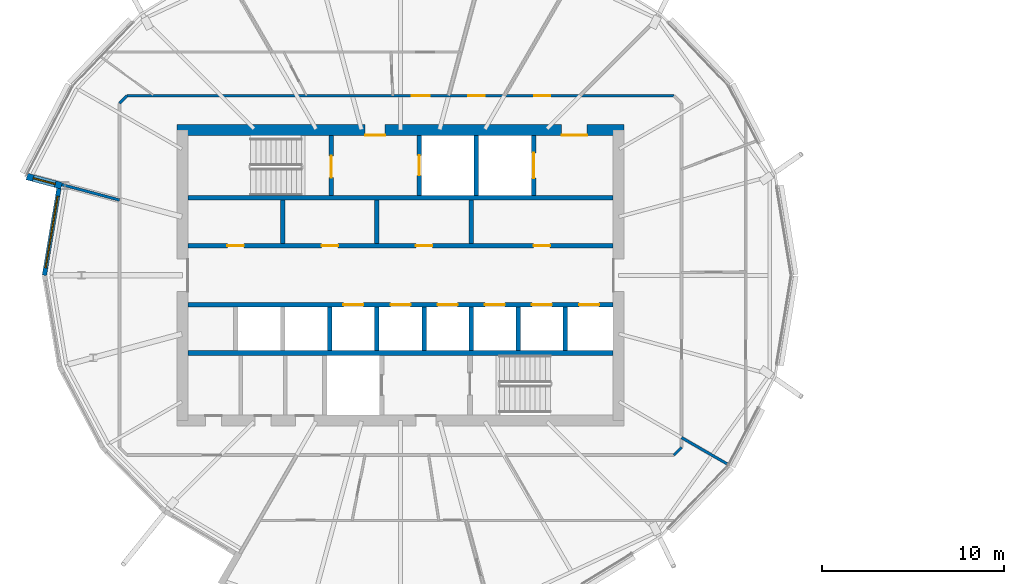
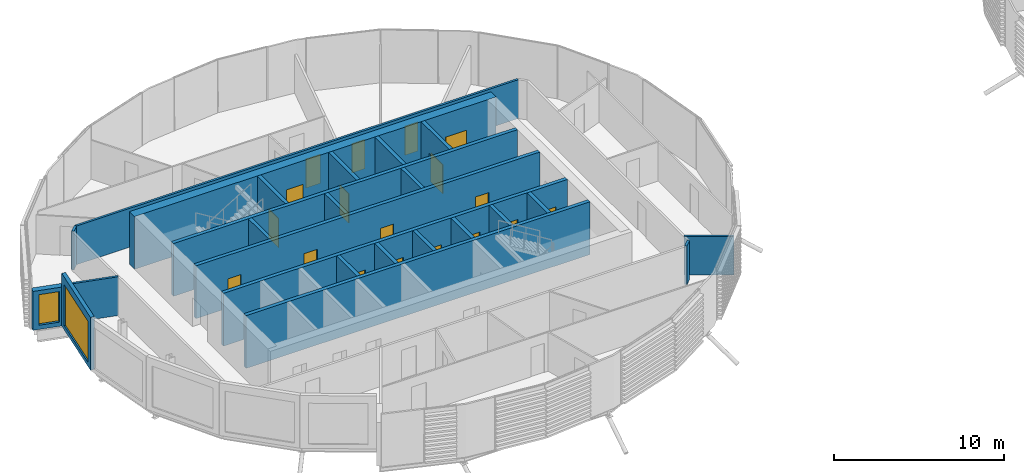
# One storey, part 19 of 35: 25 walls, 18 doors, 2 windows, 20 openings.
"""IFC4 building model written with IfcOpenShell, lengths in metres."""

from ifc_helpers import new_model, si_unit, direction, frame, frame_2d, origin, place, context, subcontext, project, spatial, rectangle, extrude, material, layer, layer_set, type_object, element, fill, save


model = new_model("IFC4")

# Units and contexts
model_context = context("Model", 3, precision=1e-05, world=origin(), true_north=direction((0.0, 1.0)))
body_context = subcontext(model_context, "Body", "Model", "MODEL_VIEW")
ifc_project = project(units=[si_unit("LENGTHUNIT", "METRE"), si_unit("AREAUNIT", "SQUARE_METRE"), si_unit("VOLUMEUNIT", "CUBIC_METRE"), si_unit("PLANEANGLEUNIT", "RADIAN"), si_unit("MASSUNIT", "GRAM", prefix="KILO")], contexts=[model_context])

# Site, building, storey
site_placement = place(None, origin())
site = spatial("IfcSite", under=ifc_project, at=site_placement, CompositionType="ELEMENT")
building_placement = place(site_placement, origin())
building = spatial("IfcBuilding", under=site, at=building_placement, Name="Rimbun Link Towers", CompositionType="ELEMENT")
storey_placement = place(building_placement, frame((0.0, 0.0, 196.89990234375)))
storey = spatial("IfcBuildingStorey", under=building, at=storey_placement, Name="L48", CompositionType="ELEMENT", Elevation=196.89990234375)

# Wall, opening, window
ifc_material_1 = material(Name="Dark enamelled glass spandrel on insulated aluminium backpan", Category="aluminium")
ifc_layer_1 = layer(ifc_material_1, 0.25)
ifc_layer_set_1 = layer_set([ifc_layer_1], Name="CS dark enamelled spandrel wall 250")
wall_type_1 = type_object("IfcWallType", Name="CS dark enamelled spandrel wall 250", PredefinedType="STANDARD", material=ifc_layer_set_1)
wall_1_placement = place(storey_placement, frame((-51.3603515625, 0.0, 0.0), z_axis=(0.0, 0.0, 1.0), x_axis=(0.165542246624, 0.986202699541, 0.0)))
wall_1 = element("IfcWall", 1, at=wall_1_placement, inside=storey, type_object=wall_type_1, Name="Crease spandrel wall", PredefinedType="STANDARD", context=body_context, shape_type="SweptSolid", body=[
    extrude(rectangle(XDim=4.84765625, YDim=0.25, at=frame_2d((2.423828125, 0.0))), origin(), (0.0, 0.0, 1.0), 3.800048828125),
])
opening_1_placement = place(wall_1_placement, frame((0.423828125, 0.0, 0.300048828125)))
opening_1 = element("IfcOpeningElement", 2, at=opening_1_placement, cuts=wall_1, Name="Opening WR40H295", PredefinedType="OPENING", context=body_context, shape_type="SweptSolid", body=[
    extrude(rectangle(XDim=4.0, YDim=2.949951171875, at=frame_2d((2.0, 1.47509765625))), frame((0.0, 0.135009765625, 0.0), z_axis=(0.0, -1.0, 0.0), x_axis=(1.0, 0.0, 0.0)), (0.0, 0.0, 1.0), 0.27001953125),
])
ifc_material_2 = material(Name="Aluminium framed fixed window, dark tinted low-e glass", Category="aluminium")
window_type_1 = type_object("IfcWindowType", Name="WR ribbon window 4000X2950", PartitioningType="SINGLE_PANEL", PredefinedType="WINDOW", material=ifc_material_2)
window_1_placement = place(opening_1_placement, origin())
window_1 = element("IfcWindow", 3, at=window_1_placement, inside=storey, type_object=window_type_1, Name="Crease ribbon window", OverallHeight=2.949951171875, OverallWidth=4.0, PartitioningType="SINGLE_PANEL", PredefinedType="WINDOW", context=body_context, shape_type="SweptSolid", body=[
    extrude(rectangle(XDim=4.0, YDim=2.949951171875, at=frame_2d((2.0, 1.47509765625))), frame((0.0, 0.030029296875, 0.0), z_axis=(0.0, -1.0, 0.0), x_axis=(1.0, 0.0, 0.0)), (0.0, 0.0, 1.0), 0.06005859375),
])
fill(opening_1, window_1)

ifc_material_3 = material(Name="Dark enamelled glass spandrel on insulated aluminium backpan", Category="aluminium")
ifc_layer_2 = layer(ifc_material_3, 0.3701171875)
ifc_layer_set_2 = layer_set([ifc_layer_2], Name="CS dark enamelled spandrel wall 370")
wall_type_2 = type_object("IfcWallType", Name="CS dark enamelled spandrel wall 370", PredefinedType="STANDARD", material=ifc_layer_set_2)
wall_2_placement = place(storey_placement, frame((-50.411865234375, 4.93310546875, 0.0), z_axis=(0.0, 0.0, 1.0), x_axis=(-0.965929339423, 0.258805933552, 0.0)))
wall_2 = element("IfcWall", 4, at=wall_2_placement, inside=storey, type_object=wall_type_2, Name="Crease spandrel wall", PredefinedType="STANDARD", context=body_context, shape_type="SweptSolid", body=[
    extrude(rectangle(XDim=1.97998046875, YDim=0.3701171875, at=frame_2d((0.989990234375, 0.0))), origin(), (0.0, 0.0, 1.0), 2.79931640625),
])
opening_2_placement = place(wall_2_placement, frame((0.364990234375, 0.0, 0.300048828125)))
opening_2 = element("IfcOpeningElement", 5, at=opening_2_placement, cuts=wall_2, Name="Opening WR12H220", PredefinedType="OPENING", context=body_context, shape_type="SweptSolid", body=[
    extrude(rectangle(XDim=1.25, YDim=2.199951171875, at=frame_2d((0.625, 1.10009765625))), frame((0.0, 0.195068359375, 0.0), z_axis=(0.0, -1.0, 0.0), x_axis=(1.0, 0.0, 0.0)), (0.0, 0.0, 1.0), 0.39013671875),
])
ifc_material_4 = material(Name="Aluminium framed fixed window, dark tinted low-e glass", Category="aluminium")
window_type_2 = type_object("IfcWindowType", Name="WR ribbon window 1250X2200", PartitioningType="SINGLE_PANEL", PredefinedType="WINDOW", material=ifc_material_4)
window_2_placement = place(opening_2_placement, origin())
window_2 = element("IfcWindow", 6, at=window_2_placement, inside=storey, type_object=window_type_2, Name="Crease ribbon window", OverallHeight=2.199951171875, OverallWidth=1.25, PartitioningType="SINGLE_PANEL", PredefinedType="WINDOW", context=body_context, shape_type="SweptSolid", body=[
    extrude(rectangle(XDim=1.25, YDim=2.199951171875, at=frame_2d((0.625, 1.10009765625))), frame((0.0, 0.030029296875, 0.0), z_axis=(0.0, -1.0, 0.0), x_axis=(1.0, 0.0, 0.0)), (0.0, 0.0, 1.0), 0.06005859375),
])
fill(opening_2, window_2)

# Wall, openings, doors
ifc_material_5 = material(Name="Concrete C60/75", Category="concrete")
ifc_layer_3 = layer(ifc_material_5, 0.60009765625)
ifc_layer_set_3 = layer_set([ifc_layer_3], Name="Core shear wall 600")
wall_type_3 = type_object("IfcWallType", Name="Core shear wall 600", PredefinedType="SHEAR", material=ifc_layer_set_3)
wall_3_placement = place(storey_placement, frame((-44.050048828125, 8.0, 0.0), z_axis=(0.0, 0.0, 1.0), x_axis=(1.0, 0.0, 0.0)))
wall_3 = element("IfcWall", 7, at=wall_3_placement, inside=storey, type_object=wall_type_3, Name="L48 T1 core wall N", PredefinedType="SHEAR", context=body_context, shape_type="SweptSolid", body=[
    extrude(rectangle(XDim=24.60009765625, YDim=0.60009765625, at=frame_2d((12.300048828125, 0.0))), origin(), (0.0, 0.0, 1.0), 3.800048828125),
])
opening_3_placement = place(wall_3_placement, frame((10.35009765625, 0.0, 0.0)))
opening_3 = element("IfcOpeningElement", 8, at=opening_3_placement, cuts=wall_3, Name="Opening C1DCF01N", PredefinedType="OPENING", context=body_context, shape_type="SweptSolid", body=[
    extrude(rectangle(XDim=1.10009765625, YDim=2.10009765625, at=frame_2d((0.550048828125, 1.050048828125))), frame((0.0, 0.31005859375, 0.0), z_axis=(0.0, -1.0, 0.0), x_axis=(1.0, 0.0, 0.0)), (0.0, 0.0, 1.0), 0.6201171875),
])
opening_4_placement = place(wall_3_placement, frame((21.175048828125, 0.0, 0.0)))
opening_4 = element("IfcOpeningElement", 9, at=opening_4_placement, cuts=wall_3, Name="Opening C1DSL02N", PredefinedType="OPENING", context=body_context, shape_type="SweptSolid", body=[
    extrude(rectangle(XDim=1.39990234375, YDim=2.10009765625, at=frame_2d((0.699951171875, 1.050048828125))), frame((0.0, 0.31005859375, 0.0), z_axis=(0.0, -1.0, 0.0), x_axis=(1.0, 0.0, 0.0)), (0.0, 0.0, 1.0), 0.6201171875),
])
ifc_material_6 = material(Name="Steel fire door set", Category="steel")
door_type_1 = type_object("IfcDoorType", Name="Core fire door single", OperationType="SINGLE_SWING_LEFT", PredefinedType="DOOR", material=ifc_material_6)
door_1_placement = place(opening_3_placement, origin())
door_1 = element("IfcDoor", 10, at=door_1_placement, inside=storey, type_object=door_type_1, Name="L48 T1 firefighting lobby n door", OperationType="SINGLE_SWING_LEFT", OverallHeight=2.10009765625, OverallWidth=1.10009765625, PredefinedType="DOOR", context=body_context, shape_type="SweptSolid", body=[
    extrude(rectangle(XDim=1.10009765625, YDim=2.10009765625, at=frame_2d((0.550048828125, 1.050048828125))), frame((0.0, -0.25, 0.0), z_axis=(0.0, -1.0, 0.0), x_axis=(1.0, 0.0, 0.0)), (0.0, 0.0, 1.0), 0.050048828125),
])
fill(opening_3, door_1)
ifc_material_7 = material(Name="Steel fire door set", Category="steel")
door_type_2 = type_object("IfcDoorType", Name="Service lobby door double", OperationType="DOUBLE_DOOR_SINGLE_SWING", PredefinedType="DOOR", material=ifc_material_7)
door_2_placement = place(opening_4_placement, origin())
door_2 = element("IfcDoor", 11, at=door_2_placement, inside=storey, type_object=door_type_2, Name="L48 T1 service lobby door", OperationType="DOUBLE_DOOR_SINGLE_SWING", OverallHeight=2.10009765625, OverallWidth=1.39990234375, PredefinedType="DOOR", context=body_context, shape_type="SweptSolid", body=[
    extrude(rectangle(XDim=1.39990234375, YDim=2.10009765625, at=frame_2d((0.699951171875, 1.050048828125))), frame((0.0, -0.25, 0.0), z_axis=(0.0, -1.0, 0.0), x_axis=(1.0, 0.0, 0.0)), (0.0, 0.0, 1.0), 0.050048828125),
])
fill(opening_4, door_2)

ifc_material_8 = material(Name="Plasterboard on steel stud, mineral wool", Category="steel")
ifc_layer_4 = layer(ifc_material_8, 0.14990234375)
ifc_layer_set_4 = layer_set([ifc_layer_4], Name="Corridor wall EI 30 150 mm")
wall_type_4 = type_object("IfcWallType", Name="Corridor wall EI 30 150 mm", PredefinedType="PARTITIONING", material=ifc_layer_set_4)
wall_4_placement = place(storey_placement, frame((-46.8037109375, 9.89501953125, 0.0), z_axis=(0.0, 0.0, 1.0), x_axis=(1.0, 0.0, 0.0)))
wall_4 = element("IfcWall", 12, at=wall_4_placement, inside=storey, type_object=wall_type_4, Name="Corridor wall EI 30 150 mm", PredefinedType="PARTITIONING", context=body_context, shape_type="SweptSolid", body=[
    extrude(rectangle(XDim=30.107421875, YDim=0.14990234375, at=frame_2d((15.0537109375, 0.0))), origin(), (0.0, 0.0, 1.0), 2.7890625),
])
opening_5_placement = place(wall_4_placement, frame((22.40771484375, 0.0, 0.0)))
opening_5 = element("IfcOpeningElement", 13, at=opening_5_placement, cuts=wall_4, Name="Opening D02", PredefinedType="OPENING", context=body_context, shape_type="SweptSolid", body=[
    extrude(rectangle(XDim=0.89990234375, YDim=2.10009765625, at=frame_2d((0.449951171875, 1.050048828125))), frame((0.0, 0.0849609375, 0.0), z_axis=(0.0, -1.0, 0.0), x_axis=(1.0, 0.0, 0.0)), (0.0, 0.0, 1.0), 0.169921875),
])
opening_6_placement = place(wall_4_placement, frame((18.785888671875, 0.0, 0.0)))
opening_6 = element("IfcOpeningElement", 14, at=opening_6_placement, cuts=wall_4, Name="Opening D02", PredefinedType="OPENING", context=body_context, shape_type="SweptSolid", body=[
    extrude(rectangle(XDim=0.89990234375, YDim=2.10009765625, at=frame_2d((0.449951171875, 1.050048828125))), frame((0.0, 0.0849609375, 0.0), z_axis=(0.0, -1.0, 0.0), x_axis=(1.0, 0.0, 0.0)), (0.0, 0.0, 1.0), 0.169921875),
])
opening_7_placement = place(wall_4_placement, frame((15.668212890625, 0.0, 0.0)))
opening_7 = element("IfcOpeningElement", 15, at=opening_7_placement, cuts=wall_4, Name="Opening D01", PredefinedType="OPENING", context=body_context, shape_type="SweptSolid", body=[
    extrude(rectangle(XDim=1.0, YDim=2.10009765625, at=frame_2d((0.5, 1.050048828125))), frame((0.0, 0.0849609375, 0.0), z_axis=(0.0, -1.0, 0.0), x_axis=(1.0, 0.0, 0.0)), (0.0, 0.0, 1.0), 0.169921875),
])
ifc_material_9 = material(Name="Fire-resisting timber door leaf", Category="wood")
door_type_3 = type_object("IfcDoorType", Name="Fire door FD30S 1000", OperationType="NOTDEFINED", PredefinedType="DOOR", material=ifc_material_9)
door_3_placement = place(opening_7_placement, origin())
door_3 = element("IfcDoor", 16, at=door_3_placement, inside=storey, type_object=door_type_3, Name="Fire door FD30S 1000 to Tenant lobby", OperationType="SINGLE_SWING_LEFT", OverallHeight=2.10009765625, OverallWidth=1.0, PredefinedType="DOOR", context=body_context, shape_type="SweptSolid", body=[
    extrude(rectangle(XDim=1.0, YDim=2.10009765625, at=frame_2d((0.5, 1.050048828125))), frame((0.0, 0.02490234375, 0.0), z_axis=(0.0, -1.0, 0.0), x_axis=(1.0, 0.0, 0.0)), (0.0, 0.0, 1.0), 0.050048828125),
])
fill(opening_7, door_3)
ifc_material_10 = material(Name="Fire-resisting timber door leaf", Category="wood")
door_type_4 = type_object("IfcDoorType", Name="Fire door FD30S 900", OperationType="NOTDEFINED", PredefinedType="DOOR", material=ifc_material_10)
door_4_placement = place(opening_5_placement, origin())
door_4 = element("IfcDoor", 17, at=door_4_placement, inside=storey, type_object=door_type_4, Name="Fire door FD30S 900 to Training room", OperationType="SINGLE_SWING_LEFT", OverallHeight=2.10009765625, OverallWidth=0.89990234375, PredefinedType="DOOR", context=body_context, shape_type="SweptSolid", body=[
    extrude(rectangle(XDim=0.89990234375, YDim=2.10009765625, at=frame_2d((0.449951171875, 1.050048828125))), frame((0.0, 0.02490234375, 0.0), z_axis=(0.0, -1.0, 0.0), x_axis=(1.0, 0.0, 0.0)), (0.0, 0.0, 1.0), 0.050048828125),
])
fill(opening_5, door_4)
door_5_placement = place(opening_6_placement, origin())
door_5 = element("IfcDoor", 18, at=door_5_placement, inside=storey, type_object=door_type_4, Name="Fire door FD30S 900 to Meeting room", OperationType="SINGLE_SWING_RIGHT", OverallHeight=2.10009765625, OverallWidth=0.89990234375, PredefinedType="DOOR", context=body_context, shape_type="SweptSolid", body=[
    extrude(rectangle(XDim=0.89990234375, YDim=2.10009765625, at=frame_2d((0.449951171875, 1.050048828125))), frame((0.0, 0.02490234375, 0.0), z_axis=(0.0, -1.0, 0.0), x_axis=(1.0, 0.0, 0.0)), (0.0, 0.0, 1.0), 0.050048828125),
])
fill(opening_6, door_5)

# Walls
for number, where, z_axis, x_axis, name in (
    (19, (-16.6962890625, -9.89501953125, 0.0), (0.0, 0.0, 1.0), (0.707106781187, 0.707106781187, 0.0), "Corridor wall EI 30 150 mm"),
    (20, (-46.8037109375, 9.89501953125, 0.0), (0.0, 0.0, 1.0), (-0.707106781187, -0.707106781187, 0.0), "Corridor wall EI 30 150 mm"),
):
    element("IfcWall", number, at=place(storey_placement, frame(where, z_axis=z_axis, x_axis=x_axis)), inside=storey, type_object=wall_type_4, Name=name, PredefinedType="PARTITIONING", context=body_context, shape_type="SweptSolid", body=[
        extrude(rectangle(XDim=0.595947265625, YDim=0.14990234375, at=frame_2d((0.2978515625, 0.0))), origin(), (0.0, 0.0, 1.0), 2.7890625),
    ])
ifc_material_11 = material(Name="Concrete C60/75", Category="concrete")
ifc_layer_5 = layer(ifc_material_11, 0.25)
ifc_layer_set_5 = layer_set([ifc_layer_5], Name="Shaft wall 250")
wall_type_5 = type_object("IfcWallType", Name="Shaft wall 250", PredefinedType="SHEAR", material=ifc_layer_set_5)
for number, where, z_axis, x_axis, name in (
    (21, (-43.449951171875, 4.27490234375, 0.0), (0.0, 0.0, 1.0), (1.0, 0.0, 0.0), "L48 T1 core wall BN"),
    (22, (-43.449951171875, -4.27490234375, 0.0), (0.0, 0.0, 1.0), (1.0, 0.0, 0.0), "L48 T1 core wall BS"),
):
    element("IfcWall", number, at=place(storey_placement, frame(where, z_axis=z_axis, x_axis=x_axis)), inside=storey, type_object=wall_type_5, Name=name, PredefinedType="SHEAR", context=body_context, shape_type="SweptSolid", body=[
        extrude(rectangle(XDim=23.39990234375, YDim=0.25, at=frame_2d((11.699951171875, 0.0))), origin(), (0.0, 0.0, 1.0), 3.800048828125),
    ])

# Wall, openings, doors
wall_5_placement = place(storey_placement, frame((-43.449951171875, 1.625, 0.0), z_axis=(0.0, 0.0, 1.0), x_axis=(1.0, 0.0, 0.0)))
wall_5 = element("IfcWall", 23, at=wall_5_placement, inside=storey, type_object=wall_type_5, Name="L48 T1 core wall FN", PredefinedType="SHEAR", context=body_context, shape_type="SweptSolid", body=[
    extrude(rectangle(XDim=23.39990234375, YDim=0.25, at=frame_2d((11.699951171875, 0.0))), origin(), (0.0, 0.0, 1.0), 3.800048828125),
])
opening_8_placement = place(wall_5_placement, frame((2.16943359375, 0.0, 0.0)))
opening_8 = element("IfcOpeningElement", 24, at=opening_8_placement, cuts=wall_5, Name="Opening C1DRS01FN", PredefinedType="OPENING", context=body_context, shape_type="SweptSolid", body=[
    extrude(rectangle(XDim=0.89990234375, YDim=2.10009765625, at=frame_2d((0.449951171875, 1.050048828125))), frame((0.0, 0.135009765625, 0.0), z_axis=(0.0, -1.0, 0.0), x_axis=(1.0, 0.0, 0.0)), (0.0, 0.0, 1.0), 0.27001953125),
])
opening_9_placement = place(wall_5_placement, frame((7.3583984375, 0.0, 0.0)))
opening_9 = element("IfcOpeningElement", 25, at=opening_9_placement, cuts=wall_5, Name="Opening C1DRS02FN", PredefinedType="OPENING", context=body_context, shape_type="SweptSolid", body=[
    extrude(rectangle(XDim=0.89990234375, YDim=2.10009765625, at=frame_2d((0.449951171875, 1.050048828125))), frame((0.0, 0.135009765625, 0.0), z_axis=(0.0, -1.0, 0.0), x_axis=(1.0, 0.0, 0.0)), (0.0, 0.0, 1.0), 0.27001953125),
])
opening_10_placement = place(wall_5_placement, frame((12.547119140625, 0.0, 0.0)))
opening_10 = element("IfcOpeningElement", 26, at=opening_10_placement, cuts=wall_5, Name="Opening C1DRS03FN", PredefinedType="OPENING", context=body_context, shape_type="SweptSolid", body=[
    extrude(rectangle(XDim=0.89990234375, YDim=2.10009765625, at=frame_2d((0.449951171875, 1.050048828125))), frame((0.0, 0.135009765625, 0.0), z_axis=(0.0, -1.0, 0.0), x_axis=(1.0, 0.0, 0.0)), (0.0, 0.0, 1.0), 0.27001953125),
])
opening_11_placement = place(wall_5_placement, frame((19.033203125, 0.0, 0.0)))
opening_11 = element("IfcOpeningElement", 27, at=opening_11_placement, cuts=wall_5, Name="Opening C1DRS04FN", PredefinedType="OPENING", context=body_context, shape_type="SweptSolid", body=[
    extrude(rectangle(XDim=0.89990234375, YDim=2.10009765625, at=frame_2d((0.449951171875, 1.050048828125))), frame((0.0, 0.135009765625, 0.0), z_axis=(0.0, -1.0, 0.0), x_axis=(1.0, 0.0, 0.0)), (0.0, 0.0, 1.0), 0.27001953125),
])
ifc_material_12 = material(Name="Steel fire door set", Category="steel")
door_type_5 = type_object("IfcDoorType", Name="Core riser door", OperationType="SINGLE_SWING_LEFT", PredefinedType="DOOR", material=ifc_material_12)
door_6_placement = place(opening_8_placement, origin())
door_6 = element("IfcDoor", 28, at=door_6_placement, inside=storey, type_object=door_type_5, Name="L48 T1 pantry door", OperationType="SINGLE_SWING_LEFT", OverallHeight=2.10009765625, OverallWidth=0.89990234375, PredefinedType="DOOR", context=body_context, shape_type="SweptSolid", body=[
    extrude(rectangle(XDim=0.89990234375, YDim=2.10009765625, at=frame_2d((0.449951171875, 1.050048828125))), frame((0.0, 0.02490234375, 0.0), z_axis=(0.0, -1.0, 0.0), x_axis=(1.0, 0.0, 0.0)), (0.0, 0.0, 1.0), 0.050048828125),
])
fill(opening_8, door_6)
door_7_placement = place(opening_9_placement, origin())
door_7 = element("IfcDoor", 29, at=door_7_placement, inside=storey, type_object=door_type_5, Name="L48 T1 first aid room door", OperationType="SINGLE_SWING_RIGHT", OverallHeight=2.10009765625, OverallWidth=0.89990234375, PredefinedType="DOOR", context=body_context, shape_type="SweptSolid", body=[
    extrude(rectangle(XDim=0.89990234375, YDim=2.10009765625, at=frame_2d((0.449951171875, 1.050048828125))), frame((0.0, 0.02490234375, 0.0), z_axis=(0.0, -1.0, 0.0), x_axis=(1.0, 0.0, 0.0)), (0.0, 0.0, 1.0), 0.050048828125),
])
fill(opening_9, door_7)
door_8_placement = place(opening_10_placement, origin())
door_8 = element("IfcDoor", 30, at=door_8_placement, inside=storey, type_object=door_type_5, Name="L48 T1 mail room door", OperationType="SINGLE_SWING_LEFT", OverallHeight=2.10009765625, OverallWidth=0.89990234375, PredefinedType="DOOR", context=body_context, shape_type="SweptSolid", body=[
    extrude(rectangle(XDim=0.89990234375, YDim=2.10009765625, at=frame_2d((0.449951171875, 1.050048828125))), frame((0.0, 0.02490234375, 0.0), z_axis=(0.0, -1.0, 0.0), x_axis=(1.0, 0.0, 0.0)), (0.0, 0.0, 1.0), 0.050048828125),
])
fill(opening_10, door_8)
door_9_placement = place(opening_11_placement, origin())
door_9 = element("IfcDoor", 31, at=door_9_placement, inside=storey, type_object=door_type_5, Name="L48 T1 wellness room door", OperationType="SINGLE_SWING_LEFT", OverallHeight=2.10009765625, OverallWidth=0.89990234375, PredefinedType="DOOR", context=body_context, shape_type="SweptSolid", body=[
    extrude(rectangle(XDim=0.89990234375, YDim=2.10009765625, at=frame_2d((0.449951171875, 1.050048828125))), frame((0.0, 0.02490234375, 0.0), z_axis=(0.0, -1.0, 0.0), x_axis=(1.0, 0.0, 0.0)), (0.0, 0.0, 1.0), 0.050048828125),
])
fill(opening_11, door_9)

wall_6_placement = place(storey_placement, frame((-43.449951171875, -1.625, 0.0), z_axis=(0.0, 0.0, 1.0), x_axis=(1.0, 0.0, 0.0)))
wall_6 = element("IfcWall", 32, at=wall_6_placement, inside=storey, type_object=wall_type_5, Name="L48 T1 core wall FS", PredefinedType="SHEAR", context=body_context, shape_type="SweptSolid", body=[
    extrude(rectangle(XDim=23.39990234375, YDim=0.25, at=frame_2d((11.699951171875, 0.0))), origin(), (0.0, 0.0, 1.0), 3.800048828125),
])
opening_12_placement = place(wall_6_placement, frame((8.5556640625, 0.0, 0.0)))
opening_12 = element("IfcOpeningElement", 33, at=opening_12_placement, cuts=wall_6, Name="Opening LD-T1-HR1", PredefinedType="OPENING", context=body_context, shape_type="SweptSolid", body=[
    extrude(rectangle(XDim=1.10009765625, YDim=2.10009765625, at=frame_2d((0.550048828125, 1.050048828125))), frame((0.0, 0.135009765625, 0.0), z_axis=(0.0, -1.0, 0.0), x_axis=(1.0, 0.0, 0.0)), (0.0, 0.0, 1.0), 0.27001953125),
])
opening_13_placement = place(wall_6_placement, frame((11.14990234375, 0.0, 0.0)))
opening_13 = element("IfcOpeningElement", 34, at=opening_13_placement, cuts=wall_6, Name="Opening LD-T1-HR2", PredefinedType="OPENING", context=body_context, shape_type="SweptSolid", body=[
    extrude(rectangle(XDim=1.10009765625, YDim=2.10009765625, at=frame_2d((0.550048828125, 1.050048828125))), frame((0.0, 0.135009765625, 0.0), z_axis=(0.0, -1.0, 0.0), x_axis=(1.0, 0.0, 0.0)), (0.0, 0.0, 1.0), 0.27001953125),
])
opening_14_placement = place(wall_6_placement, frame((13.744384765625, 0.0, 0.0)))
opening_14 = element("IfcOpeningElement", 35, at=opening_14_placement, cuts=wall_6, Name="Opening LD-T1-HR3", PredefinedType="OPENING", context=body_context, shape_type="SweptSolid", body=[
    extrude(rectangle(XDim=1.10009765625, YDim=2.10009765625, at=frame_2d((0.550048828125, 1.050048828125))), frame((0.0, 0.135009765625, 0.0), z_axis=(0.0, -1.0, 0.0), x_axis=(1.0, 0.0, 0.0)), (0.0, 0.0, 1.0), 0.27001953125),
])
opening_15_placement = place(wall_6_placement, frame((16.3388671875, 0.0, 0.0)))
opening_15 = element("IfcOpeningElement", 36, at=opening_15_placement, cuts=wall_6, Name="Opening LD-T1-HR4", PredefinedType="OPENING", context=body_context, shape_type="SweptSolid", body=[
    extrude(rectangle(XDim=1.10009765625, YDim=2.10009765625, at=frame_2d((0.550048828125, 1.050048828125))), frame((0.0, 0.135009765625, 0.0), z_axis=(0.0, -1.0, 0.0), x_axis=(1.0, 0.0, 0.0)), (0.0, 0.0, 1.0), 0.27001953125),
])
opening_16_placement = place(wall_6_placement, frame((18.933349609375, 0.0, 0.0)))
opening_16 = element("IfcOpeningElement", 37, at=opening_16_placement, cuts=wall_6, Name="Opening LD-T1-HR5", PredefinedType="OPENING", context=body_context, shape_type="SweptSolid", body=[
    extrude(rectangle(XDim=1.10009765625, YDim=2.10009765625, at=frame_2d((0.550048828125, 1.050048828125))), frame((0.0, 0.135009765625, 0.0), z_axis=(0.0, -1.0, 0.0), x_axis=(1.0, 0.0, 0.0)), (0.0, 0.0, 1.0), 0.27001953125),
])
opening_17_placement = place(wall_6_placement, frame((21.52783203125, 0.0, 0.0)))
opening_17 = element("IfcOpeningElement", 38, at=opening_17_placement, cuts=wall_6, Name="Opening LD-T1-HR6", PredefinedType="OPENING", context=body_context, shape_type="SweptSolid", body=[
    extrude(rectangle(XDim=1.10009765625, YDim=2.10009765625, at=frame_2d((0.550048828125, 1.050048828125))), frame((0.0, 0.135009765625, 0.0), z_axis=(0.0, -1.0, 0.0), x_axis=(1.0, 0.0, 0.0)), (0.0, 0.0, 1.0), 0.27001953125),
])
ifc_material_13 = material(Name="Stainless steel grade 316", Category="steel")
door_type_6 = type_object("IfcDoorType", Name="Lift landing door", OperationType="DOUBLE_DOOR_SLIDING", PredefinedType="DOOR", material=ifc_material_13)
door_10_placement = place(opening_12_placement, origin())
door_10 = element("IfcDoor", 39, at=door_10_placement, inside=storey, type_object=door_type_6, Name="L48 T1 lift HR1 landing door", OperationType="DOUBLE_DOOR_SLIDING", OverallHeight=2.10009765625, OverallWidth=1.10009765625, PredefinedType="DOOR", context=body_context, shape_type="SweptSolid", body=[
    extrude(rectangle(XDim=1.10009765625, YDim=2.10009765625, at=frame_2d((0.550048828125, 1.050048828125))), frame((0.0, 0.02490234375, 0.0), z_axis=(0.0, -1.0, 0.0), x_axis=(1.0, 0.0, 0.0)), (0.0, 0.0, 1.0), 0.050048828125),
])
fill(opening_12, door_10)
door_11_placement = place(opening_13_placement, origin())
door_11 = element("IfcDoor", 40, at=door_11_placement, inside=storey, type_object=door_type_6, Name="L48 T1 lift HR2 landing door", OperationType="DOUBLE_DOOR_SLIDING", OverallHeight=2.10009765625, OverallWidth=1.10009765625, PredefinedType="DOOR", context=body_context, shape_type="SweptSolid", body=[
    extrude(rectangle(XDim=1.10009765625, YDim=2.10009765625, at=frame_2d((0.550048828125, 1.050048828125))), frame((0.0, 0.02490234375, 0.0), z_axis=(0.0, -1.0, 0.0), x_axis=(1.0, 0.0, 0.0)), (0.0, 0.0, 1.0), 0.050048828125),
])
fill(opening_13, door_11)
door_12_placement = place(opening_14_placement, origin())
door_12 = element("IfcDoor", 41, at=door_12_placement, inside=storey, type_object=door_type_6, Name="L48 T1 lift HR3 landing door", OperationType="DOUBLE_DOOR_SLIDING", OverallHeight=2.10009765625, OverallWidth=1.10009765625, PredefinedType="DOOR", context=body_context, shape_type="SweptSolid", body=[
    extrude(rectangle(XDim=1.10009765625, YDim=2.10009765625, at=frame_2d((0.550048828125, 1.050048828125))), frame((0.0, 0.02490234375, 0.0), z_axis=(0.0, -1.0, 0.0), x_axis=(1.0, 0.0, 0.0)), (0.0, 0.0, 1.0), 0.050048828125),
])
fill(opening_14, door_12)
door_13_placement = place(opening_15_placement, origin())
door_13 = element("IfcDoor", 42, at=door_13_placement, inside=storey, type_object=door_type_6, Name="L48 T1 lift HR4 landing door", OperationType="DOUBLE_DOOR_SLIDING", OverallHeight=2.10009765625, OverallWidth=1.10009765625, PredefinedType="DOOR", context=body_context, shape_type="SweptSolid", body=[
    extrude(rectangle(XDim=1.10009765625, YDim=2.10009765625, at=frame_2d((0.550048828125, 1.050048828125))), frame((0.0, 0.02490234375, 0.0), z_axis=(0.0, -1.0, 0.0), x_axis=(1.0, 0.0, 0.0)), (0.0, 0.0, 1.0), 0.050048828125),
])
fill(opening_15, door_13)
door_14_placement = place(opening_16_placement, origin())
door_14 = element("IfcDoor", 43, at=door_14_placement, inside=storey, type_object=door_type_6, Name="L48 T1 lift HR5 landing door", OperationType="DOUBLE_DOOR_SLIDING", OverallHeight=2.10009765625, OverallWidth=1.10009765625, PredefinedType="DOOR", context=body_context, shape_type="SweptSolid", body=[
    extrude(rectangle(XDim=1.10009765625, YDim=2.10009765625, at=frame_2d((0.550048828125, 1.050048828125))), frame((0.0, 0.02490234375, 0.0), z_axis=(0.0, -1.0, 0.0), x_axis=(1.0, 0.0, 0.0)), (0.0, 0.0, 1.0), 0.050048828125),
])
fill(opening_16, door_14)
door_15_placement = place(opening_17_placement, origin())
door_15 = element("IfcDoor", 44, at=door_15_placement, inside=storey, type_object=door_type_6, Name="L48 T1 lift HR6 landing door", OperationType="DOUBLE_DOOR_SLIDING", OverallHeight=2.10009765625, OverallWidth=1.10009765625, PredefinedType="DOOR", context=body_context, shape_type="SweptSolid", body=[
    extrude(rectangle(XDim=1.10009765625, YDim=2.10009765625, at=frame_2d((0.550048828125, 1.050048828125))), frame((0.0, 0.02490234375, 0.0), z_axis=(0.0, -1.0, 0.0), x_axis=(1.0, 0.0, 0.0)), (0.0, 0.0, 1.0), 0.050048828125),
])
fill(opening_17, door_15)

# Walls
for number, where, z_axis, x_axis, name in (
    (45, (-38.236083984375, 1.75, 0.0), (0.0, 0.0, 1.0), (0.0, 1.0, 0.0), "L48 T1 core wall DN1"),
    (46, (-33.047119140625, 1.75, 0.0), (0.0, 0.0, 1.0), (0.0, 1.0, 0.0), "L48 T1 core wall DN3"),
    (47, (-27.8583984375, 1.75, 0.0), (0.0, 0.0, 1.0), (0.0, 1.0, 0.0), "L48 T1 core wall DN5"),
    (48, (-35.6416015625, -4.14990234375, 0.0), (0.0, 0.0, 1.0), (0.0, 1.0, 0.0), "L48 T1 core wall DS2"),
    (49, (-33.047119140625, -4.14990234375, 0.0), (0.0, 0.0, 1.0), (0.0, 1.0, 0.0), "L48 T1 core wall DS3"),
    (50, (-30.452880859375, -4.14990234375, 0.0), (0.0, 0.0, 1.0), (0.0, 1.0, 0.0), "L48 T1 core wall DS4"),
    (51, (-27.8583984375, -4.14990234375, 0.0), (0.0, 0.0, 1.0), (0.0, 1.0, 0.0), "L48 T1 core wall DS5"),
    (52, (-25.263916015625, -4.14990234375, 0.0), (0.0, 0.0, 1.0), (0.0, 1.0, 0.0), "L48 T1 core wall DS6"),
    (53, (-22.66943359375, -4.14990234375, 0.0), (0.0, 0.0, 1.0), (0.0, 1.0, 0.0), "L48 T1 core wall DS7"),
):
    element("IfcWall", number, at=place(storey_placement, frame(where, z_axis=z_axis, x_axis=x_axis)), inside=storey, type_object=wall_type_5, Name=name, PredefinedType="SHEAR", context=body_context, shape_type="SweptSolid", body=[
        extrude(rectangle(XDim=2.39990234375, YDim=0.25, at=frame_2d((1.199951171875, 0.0))), origin(), (0.0, 0.0, 1.0), 3.800048828125),
    ])

# Wall, opening, door
wall_7_placement = place(storey_placement, frame((-35.574951171875, 4.39990234375, 0.0), z_axis=(0.0, 0.0, 1.0), x_axis=(0.0, 1.0, 0.0)))
wall_7 = element("IfcWall", 54, at=wall_7_placement, inside=storey, type_object=wall_type_5, Name="L48 T1 core wall A1", PredefinedType="SHEAR", context=body_context, shape_type="SweptSolid", body=[
    extrude(rectangle(XDim=3.300048828125, YDim=0.25, at=frame_2d((1.64990234375, 0.0))), origin(), (0.0, 0.0, 1.0), 3.800048828125),
])
opening_18_placement = place(wall_7_placement, frame((0.97509765625, 0.0, 0.0)))
opening_18 = element("IfcOpeningElement", 55, at=opening_18_placement, cuts=wall_7, Name="Opening C1DST01A1", PredefinedType="OPENING", context=body_context, shape_type="SweptSolid", body=[
    extrude(rectangle(XDim=1.199951171875, YDim=2.10009765625, at=frame_2d((0.60009765625, 1.050048828125))), frame((0.0, 0.135009765625, 0.0), z_axis=(0.0, -1.0, 0.0), x_axis=(1.0, 0.0, 0.0)), (0.0, 0.0, 1.0), 0.27001953125),
])
ifc_material_14 = material(Name="Steel fire door set", Category="steel")
door_type_7 = type_object("IfcDoorType", Name="Stair door", OperationType="SINGLE_SWING_LEFT", PredefinedType="DOOR", material=ifc_material_14)
door_16_placement = place(opening_18_placement, origin())
door_16 = element("IfcDoor", 56, at=door_16_placement, inside=storey, type_object=door_type_7, Name="L48 T1 stair a door", OperationType="SINGLE_SWING_RIGHT", OverallHeight=2.10009765625, OverallWidth=1.199951171875, PredefinedType="DOOR", context=body_context, shape_type="SweptSolid", body=[
    extrude(rectangle(XDim=1.199951171875, YDim=2.10009765625, at=frame_2d((0.60009765625, 1.050048828125))), frame((0.0, 0.02490234375, 0.0), z_axis=(0.0, -1.0, 0.0), x_axis=(1.0, 0.0, 0.0)), (0.0, 0.0, 1.0), 0.050048828125),
])
fill(opening_18, door_16)

wall_8_placement = place(storey_placement, frame((-30.72509765625, 4.39990234375, 0.0), z_axis=(0.0, 0.0, 1.0), x_axis=(0.0, 1.0, 0.0)))
wall_8 = element("IfcWall", 57, at=wall_8_placement, inside=storey, type_object=wall_type_5, Name="L48 T1 core wall A2", PredefinedType="SHEAR", context=body_context, shape_type="SweptSolid", body=[
    extrude(rectangle(XDim=3.300048828125, YDim=0.25, at=frame_2d((1.64990234375, 0.0))), origin(), (0.0, 0.0, 1.0), 3.800048828125),
])
opening_19_placement = place(wall_8_placement, frame((1.10009765625, 0.0, 0.0)))
opening_19 = element("IfcOpeningElement", 58, at=opening_19_placement, cuts=wall_8, Name="Opening LD-T1-FF1", PredefinedType="OPENING", context=body_context, shape_type="SweptSolid", body=[
    extrude(rectangle(XDim=1.10009765625, YDim=2.10009765625, at=frame_2d((0.550048828125, 1.050048828125))), frame((0.0, 0.135009765625, 0.0), z_axis=(0.0, -1.0, 0.0), x_axis=(1.0, 0.0, 0.0)), (0.0, 0.0, 1.0), 0.27001953125),
])
door_17_placement = place(opening_19_placement, origin())
door_17 = element("IfcDoor", 59, at=door_17_placement, inside=storey, type_object=door_type_6, Name="L48 T1 lift FF1 landing door", OperationType="DOUBLE_DOOR_SLIDING", OverallHeight=2.10009765625, OverallWidth=1.10009765625, PredefinedType="DOOR", context=body_context, shape_type="SweptSolid", body=[
    extrude(rectangle(XDim=1.10009765625, YDim=2.10009765625, at=frame_2d((0.550048828125, 1.050048828125))), frame((0.0, 0.02490234375, 0.0), z_axis=(0.0, -1.0, 0.0), x_axis=(1.0, 0.0, 0.0)), (0.0, 0.0, 1.0), 0.050048828125),
])
fill(opening_19, door_17)

# Wall
wall_9_placement = place(storey_placement, frame((-27.574951171875, 4.39990234375, 0.0), z_axis=(0.0, 0.0, 1.0), x_axis=(0.0, 1.0, 0.0)))
element("IfcWall", 60, at=wall_9_placement, inside=storey, type_object=wall_type_5, Name="L48 T1 core wall A3", PredefinedType="SHEAR", context=body_context, shape_type="SweptSolid", body=[
    extrude(rectangle(XDim=3.300048828125, YDim=0.25, at=frame_2d((1.64990234375, 0.0))), origin(), (0.0, 0.0, 1.0), 3.800048828125),
])

# Wall, opening, door
wall_10_placement = place(storey_placement, frame((-24.425048828125, 4.39990234375, 0.0), z_axis=(0.0, 0.0, 1.0), x_axis=(0.0, 1.0, 0.0)))
wall_10 = element("IfcWall", 61, at=wall_10_placement, inside=storey, type_object=wall_type_5, Name="L48 T1 core wall A4", PredefinedType="SHEAR", context=body_context, shape_type="SweptSolid", body=[
    extrude(rectangle(XDim=3.300048828125, YDim=0.25, at=frame_2d((1.64990234375, 0.0))), origin(), (0.0, 0.0, 1.0), 3.800048828125),
])
opening_20_placement = place(wall_10_placement, frame((0.949951171875, 0.0, 0.0)))
opening_20 = element("IfcOpeningElement", 62, at=opening_20_placement, cuts=wall_10, Name="Opening LD-T1-GL1", PredefinedType="OPENING", context=body_context, shape_type="SweptSolid", body=[
    extrude(rectangle(XDim=1.39990234375, YDim=2.10009765625, at=frame_2d((0.699951171875, 1.050048828125))), frame((0.0, 0.135009765625, 0.0), z_axis=(0.0, -1.0, 0.0), x_axis=(1.0, 0.0, 0.0)), (0.0, 0.0, 1.0), 0.27001953125),
])
ifc_material_15 = material(Name="Stainless steel grade 316", Category="steel")
door_type_8 = type_object("IfcDoorType", Name="Goods lift landing door", OperationType="DOUBLE_DOOR_SLIDING", PredefinedType="DOOR", material=ifc_material_15)
door_18_placement = place(opening_20_placement, origin())
door_18 = element("IfcDoor", 63, at=door_18_placement, inside=storey, type_object=door_type_8, Name="L48 T1 lift GL1 landing door", OperationType="DOUBLE_DOOR_SLIDING", OverallHeight=2.10009765625, OverallWidth=1.39990234375, PredefinedType="DOOR", context=body_context, shape_type="SweptSolid", body=[
    extrude(rectangle(XDim=1.39990234375, YDim=2.10009765625, at=frame_2d((0.699951171875, 1.050048828125))), frame((0.0, 0.02490234375, 0.0), z_axis=(0.0, -1.0, 0.0), x_axis=(1.0, 0.0, 0.0)), (0.0, 0.0, 1.0), 0.050048828125),
])
fill(opening_20, door_18)

# Walls
ifc_material_16 = material(Name="Plasterboard on steel stud, mineral wool", Category="steel")
ifc_layer_6 = layer(ifc_material_16, 0.14990234375)
ifc_layer_set_6 = layer_set([ifc_layer_6], Name="Tenancy separation wall EI 60 150 mm")
wall_type_6 = type_object("IfcWallType", Name="Tenancy separation wall EI 60 150 mm", PredefinedType="PARTITIONING", material=ifc_layer_set_6)
wall_11_placement = place(storey_placement, frame((-47.22509765625, 4.146484375, 0.0), z_axis=(0.0, 0.0, 1.0), x_axis=(-0.965926799249, 0.258815413939, 0.0)))
element("IfcWall", 64, at=wall_11_placement, inside=storey, type_object=wall_type_6, Name="Tenancy separation wall EI 60 150 mm", PredefinedType="PARTITIONING", context=body_context, shape_type="SweptSolid", body=[
    extrude(rectangle(XDim=3.28173828125, YDim=0.14990234375, at=frame_2d((1.640869140625, 0.0))), origin(), (0.0, 0.0, 1.0), 2.7890625),
])
wall_12_placement = place(storey_placement, frame((-16.27490234375, -8.9345703125, 0.0), z_axis=(0.0, 0.0, 1.0), x_axis=(0.866033229902, -0.499986444521, 0.0)))
element("IfcWall", 65, at=wall_12_placement, inside=storey, type_object=wall_type_6, Name="Tenancy separation wall EI 60 150 mm", PredefinedType="PARTITIONING", context=body_context, shape_type="SweptSolid", body=[
    extrude(rectangle(XDim=2.9619140625, YDim=0.14990234375, at=frame_2d((1.48095703125, 0.0))), origin(), (0.0, 0.0, 1.0), 2.7890625),
])

save(model, "model.ifc")
